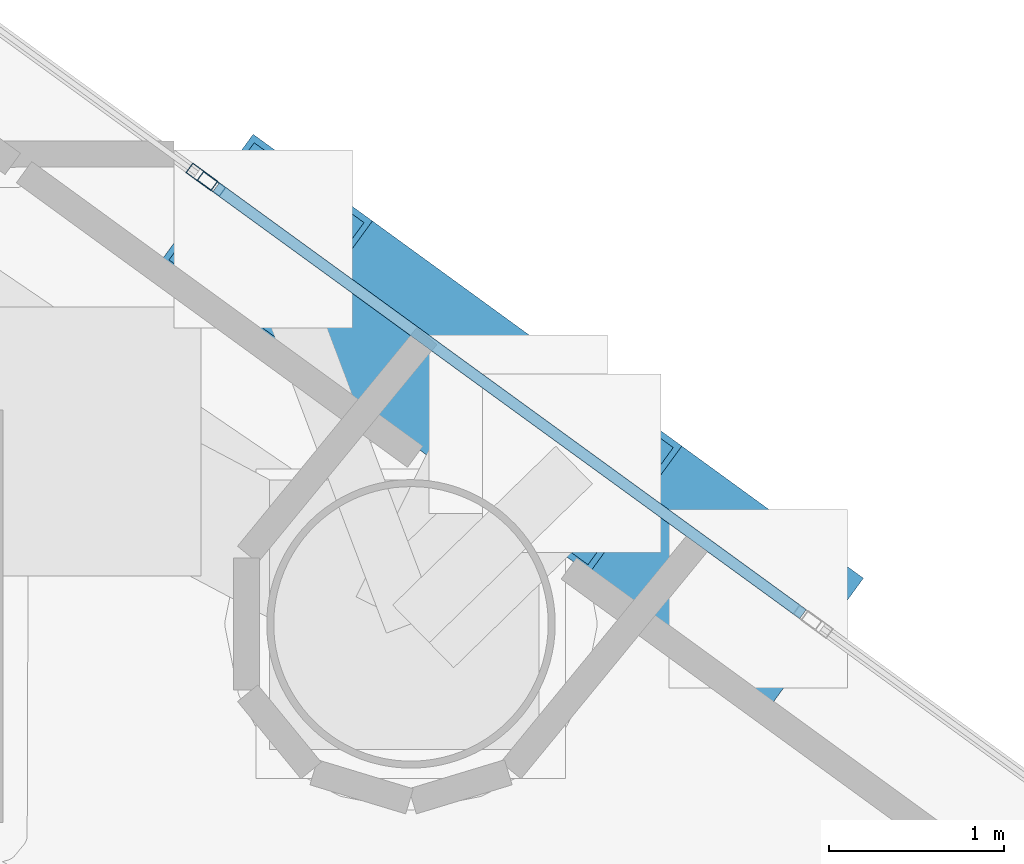
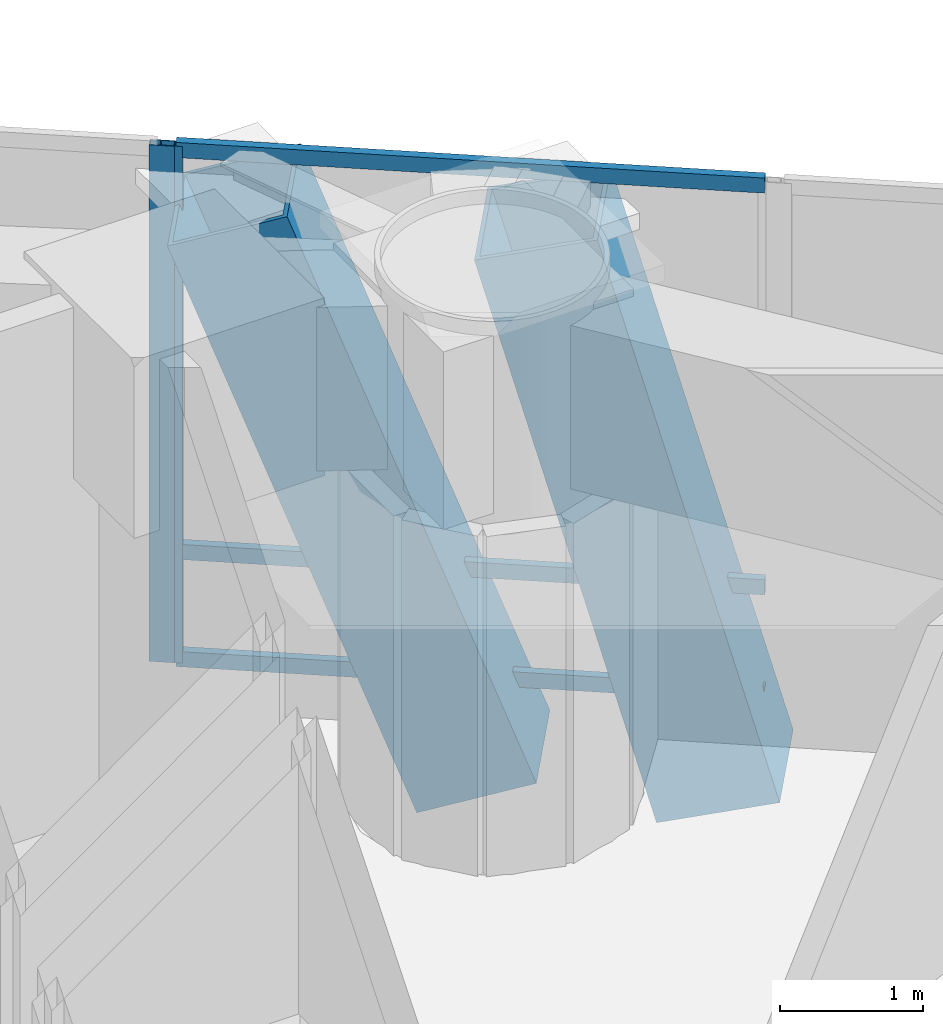
# One storey, part 11 of 22: 7 members, 2 elements without a shape of their own.
"""IFC4 building model written with IfcOpenShell, lengths in metres."""

from ifc_helpers import new_model, si_unit, direction, frame, origin, origin_2d, place, context, subcontext, project, spatial, hollow_rectangle, extrude, material, layer, layer_set, material_profile, profile_set, type_object, element, aggregate, save


model = new_model("IFC4")

# Units and contexts
model_context = context("Model", 3, precision=1e-05, world=origin(), true_north=direction((0.0, 1.0)))
body_context = subcontext(model_context, "Body", "Model", "MODEL_VIEW")
ifc_project = project(units=[si_unit("LENGTHUNIT", "METRE"), si_unit("AREAUNIT", "SQUARE_METRE"), si_unit("VOLUMEUNIT", "CUBIC_METRE"), si_unit("PLANEANGLEUNIT", "RADIAN"), si_unit("MASSUNIT", "GRAM", prefix="KILO")], contexts=[model_context])

# Site, building, storey
site_placement = place(None, origin())
site = spatial("IfcSite", under=ifc_project, at=site_placement, CompositionType="ELEMENT")
building_placement = place(site_placement, origin())
building = spatial("IfcBuilding", under=site, at=building_placement, Name="Qianvela Tower", CompositionType="ELEMENT")
storey_placement = place(building_placement, frame((0.0, 0.0, 93.199951171875)))
storey = spatial("IfcBuildingStorey", under=building, at=storey_placement, Name="L23", CompositionType="ELEMENT", Elevation=93.199951171875)

# Curtain wall, members
ifc_material_1 = material(Name="Anodised Architectural Aluminium and Insulated Spandrel Panel", Category="aluminium")
ifc_layer_1 = layer(ifc_material_1, 0.179931640625)
ifc_layer_set_1 = layer_set([ifc_layer_1], Name="Anodised Architectural Aluminium and Insulated Spandrel Panel")
curtain_wall_type_1 = type_object("IfcCurtainWallType", Name="CW-BRACEBAY", PredefinedType="USERDEFINED", material=ifc_layer_set_1)
curtain_wall_1_placement = place(storey_placement, origin())
curtain_wall_1 = element("IfcCurtainWall", 1, at=curtain_wall_1_placement, inside=storey, type_object=curtain_wall_type_1, Name="L23 CW-BRACEBAY Curtain Wall 02B", ObjectType="CURTAIN_WALL_SYSTEM", PredefinedType="USERDEFINED")
ifc_material_2 = material(Name="Anodised Architectural Aluminium 6063-T6", Category="aluminium")
ifc_material_profile_1 = material_profile(ifc_material_2, hollow_rectangle(XDim=0.06494140625, YDim=0.159912109375, WallThickness=0.0048828125, at=origin_2d()), Name="ALU-MULL-65x160")
ifc_profile_set_1 = profile_set([ifc_material_profile_1], Name="Anodised Architectural Aluminium 6063-T6")
member_type_1 = type_object("IfcMemberType", Name="CW-BRACEBAY-MULL", PredefinedType="MULLION", material=ifc_profile_set_1)
member_1_placement = place(storey_placement, frame((44.843017578125, 36.57275390625, 0.0), z_axis=(0.0, 0.0, 1.0), x_axis=(-0.58825366063, -0.808676468531, 0.0)))
member_1 = element("IfcMember", 2, at=member_1_placement, type_object=member_type_1, Name="CW-9 mullion 2", PredefinedType="MULLION", context=body_context, shape_type="SweptSolid", body=[
    extrude(hollow_rectangle(XDim=0.06494140625, YDim=0.159912109375, WallThickness=0.0048828125, at=origin_2d()), origin(), (0.0, 0.0, 1.0), 4.420166015625),
])
ifc_material_3 = material(Name="Anodised Architectural Aluminium 6063-T6", Category="aluminium")
ifc_material_profile_2 = material_profile(ifc_material_3, hollow_rectangle(XDim=0.06494140625, YDim=0.1298828125, WallThickness=0.00439453125, at=origin_2d()), Name="ALU-TRAN-65x130")
ifc_profile_set_2 = profile_set([ifc_material_profile_2], Name="Anodised Architectural Aluminium 6063-T6")
member_type_2 = type_object("IfcMemberType", Name="CW-BRACEBAY-TRAN", PredefinedType="USERDEFINED", material=ifc_profile_set_2)
member_2_placement = place(storey_placement, frame((48.225341796875, 34.112548828125, 0.032470703125), z_axis=(-0.808682656605, 0.588245153746, 0.0), x_axis=(-0.588245153746, -0.808682656605, 0.0)))
member_2 = element("IfcMember", 3, at=member_2_placement, type_object=member_type_2, Name="CW-9 transom 1.1", ObjectType="TRANSOM", PredefinedType="USERDEFINED", context=body_context, shape_type="SweptSolid", body=[
    extrude(hollow_rectangle(XDim=0.06494140625, YDim=0.1298828125, WallThickness=0.00439453125, at=origin_2d()), origin(), (0.0, 0.0, 1.0), 4.14990234375),
])
member_3_placement = place(storey_placement, frame((48.225341796875, 34.112548828125, 0.949951171875), z_axis=(-0.808682656605, 0.588245153746, 0.0), x_axis=(-0.588245153746, -0.808682656605, 0.0)))
member_3 = element("IfcMember", 4, at=member_3_placement, type_object=member_type_2, Name="CW-9 transom 1.2", ObjectType="TRANSOM", PredefinedType="USERDEFINED", context=body_context, shape_type="SweptSolid", body=[
    extrude(hollow_rectangle(XDim=0.06494140625, YDim=0.1298828125, WallThickness=0.00439453125, at=origin_2d()), origin(), (0.0, 0.0, 1.0), 4.14990234375),
])
member_4_placement = place(storey_placement, frame((48.225341796875, 34.112548828125, 4.387451171875), z_axis=(-0.808682656605, 0.588245153746, 0.0), x_axis=(-0.588245153746, -0.808682656605, 0.0)))
member_4 = element("IfcMember", 5, at=member_4_placement, type_object=member_type_2, Name="CW-9 transom 1.3", ObjectType="TRANSOM", PredefinedType="USERDEFINED", context=body_context, shape_type="SweptSolid", body=[
    extrude(hollow_rectangle(XDim=0.06494140625, YDim=0.1298828125, WallThickness=0.00439453125, at=origin_2d()), origin(), (0.0, 0.0, 1.0), 4.14990234375),
])
aggregate(curtain_wall_1, [member_1, member_2, member_3, member_4])

# Curtain wall, member
ifc_material_4 = material(Name="Anodised Architectural Aluminium and Low-E Glass", Category="aluminium")
ifc_layer_2 = layer(ifc_material_4, 0.179931640625)
ifc_layer_set_2 = layer_set([ifc_layer_2], Name="Anodised Architectural Aluminium and Low-E Glass")
curtain_wall_type_2 = type_object("IfcCurtainWallType", Name="CW-COLIV-Z12", PredefinedType="USERDEFINED", material=ifc_layer_set_2)
curtain_wall_2_placement = place(storey_placement, origin())
curtain_wall_2 = element("IfcCurtainWall", 6, at=curtain_wall_2_placement, inside=storey, type_object=curtain_wall_type_2, Name="L23 CW-COLIV-Z12 Curtain Wall 02C", ObjectType="CURTAIN_WALL_SYSTEM", PredefinedType="USERDEFINED")
ifc_material_5 = material(Name="Anodised Architectural Aluminium 6063-T6", Category="aluminium")
ifc_material_profile_3 = material_profile(ifc_material_5, hollow_rectangle(XDim=0.070068359375, YDim=0.179931640625, WallThickness=0.0048828125, at=origin_2d()), Name="ALU-MULL-70x180")
ifc_profile_set_3 = profile_set([ifc_material_profile_3], Name="Anodised Architectural Aluminium 6063-T6")
member_type_3 = type_object("IfcMemberType", Name="CW-COLIV-Z12-MULL", PredefinedType="MULLION", material=ifc_profile_set_3)
member_5_placement = place(storey_placement, frame((44.788330078125, 36.612548828125, 0.0), z_axis=(0.0, 0.0, 1.0), x_axis=(-0.588249855866, -0.808679236208, 0.0)))
member_5 = element("IfcMember", 7, at=member_5_placement, type_object=member_type_3, Name="CW-3 mullion 1", PredefinedType="MULLION", context=body_context, shape_type="SweptSolid", body=[
    extrude(hollow_rectangle(XDim=0.070068359375, YDim=0.179931640625, WallThickness=0.0048828125, at=origin_2d()), origin(), (0.0, 0.0, 1.0), 4.420166015625),
])
aggregate(curtain_wall_2, [member_5])

# Members
ifc_material_6 = material(Name="Steel Q420GJC", Category="steel")
ifc_material_profile_4 = material_profile(ifc_material_6, hollow_rectangle(XDim=0.89990234375, YDim=0.89990234375, WallThickness=0.035888671875, at=origin_2d()), Name="MBOX-900x900x36")
ifc_profile_set_4 = profile_set([ifc_material_profile_4], Name="Steel Q420GJC")
member_type_4 = type_object("IfcMemberType", Name="MBR-MBRACE-900", PredefinedType="BRACE", material=ifc_profile_set_4)
member_6_placement = place(storey_placement, frame((47.955322265625, 34.209716796875, -0.65185546875), z_axis=(-0.212318056919, 0.154472117105, 0.964914197089), x_axis=(-0.58831861992, -0.808629211354, 0.0)))
element("IfcMember", 8, at=member_6_placement, inside=storey, type_object=member_type_4, Name="L23 Tier 4 Exterior Mega-Brace F1A", PredefinedType="BRACE", context=body_context, shape_type="SweptSolid", body=[
    extrude(hollow_rectangle(XDim=0.89990234375, YDim=0.89990234375, WallThickness=0.035888671875, at=origin_2d()), origin(), (0.0, 0.0, 1.0), 4.8916015625),
])
member_7_placement = place(storey_placement, frame((46.57861328125, 35.21142578125, -0.65185546875), z_axis=(-0.282127123506, 0.205196583127, 0.937175889818), x_axis=(-0.588196483965, -0.80871805733, 0.0)))
element("IfcMember", 9, at=member_7_placement, inside=storey, type_object=member_type_4, Name="L23 Tier 4 Exterior Mega-Brace F1B", PredefinedType="BRACE", context=body_context, shape_type="SweptSolid", body=[
    extrude(hollow_rectangle(XDim=0.89990234375, YDim=0.89990234375, WallThickness=0.035888671875, at=origin_2d()), origin(), (0.0, 0.0, 1.0), 5.036376953125),
])

save(model, "model.ifc")
